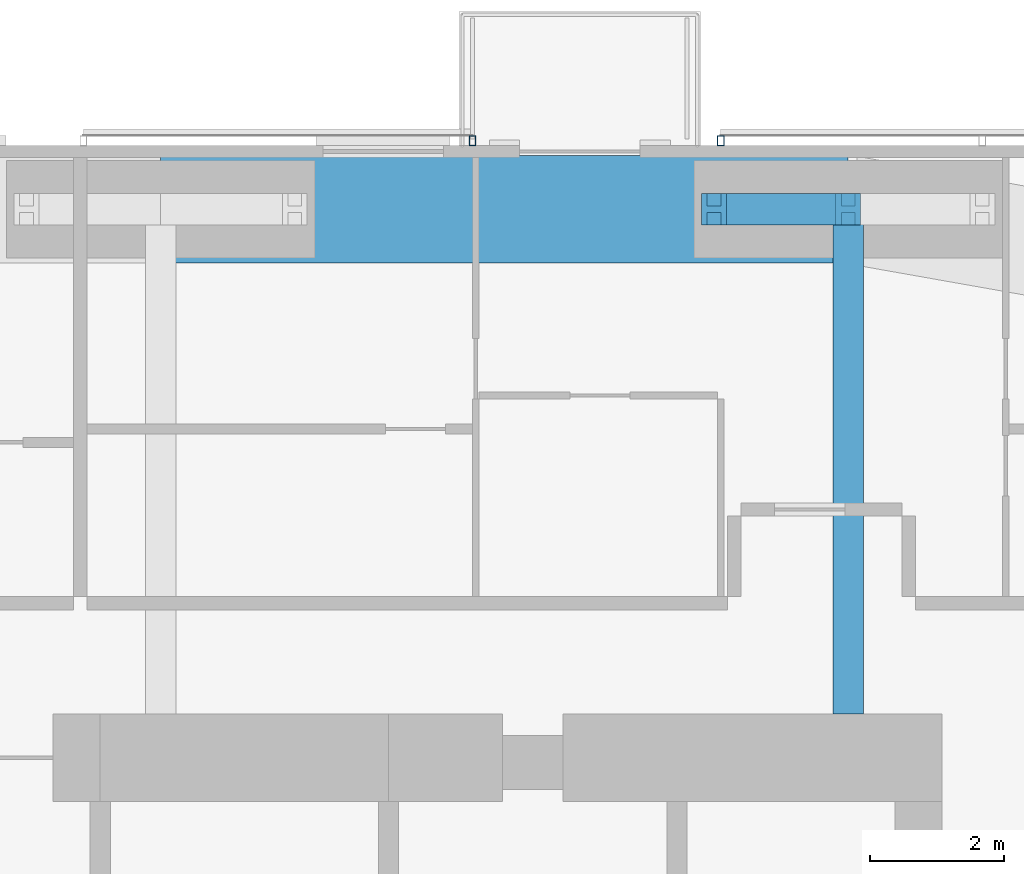
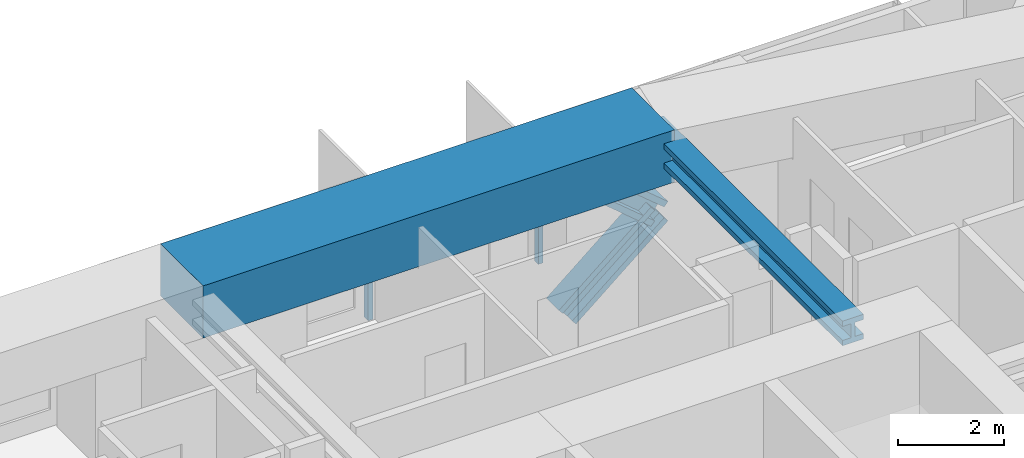
# One storey, part 12 of 23: 4 members, 2 beams, 2 elements without a shape of their own.
"""IFC4 building model written with IfcOpenShell, lengths in metres."""

from ifc_helpers import new_model, si_unit, direction, frame, origin, origin_2d, place, context, subcontext, project, spatial, rectangle, hollow_rectangle, i_section, extrude, material, material_profile, profile_set, type_object, element, aggregate, save


model = new_model("IFC4")

# Units and contexts
model_context = context("Model", 3, precision=1e-05, world=origin(), true_north=direction((0.0, 1.0)))
body_context = subcontext(model_context, "Body", "Model", "MODEL_VIEW")
ifc_project = project(units=[si_unit("LENGTHUNIT", "METRE"), si_unit("AREAUNIT", "SQUARE_METRE"), si_unit("VOLUMEUNIT", "CUBIC_METRE"), si_unit("PLANEANGLEUNIT", "RADIAN"), si_unit("MASSUNIT", "GRAM", prefix="KILO")], contexts=[model_context])

# Site, building, storey
site_placement = place(None, origin())
site = spatial("IfcSite", under=ifc_project, at=site_placement, CompositionType="ELEMENT")
building_placement = place(site_placement, origin())
building = spatial("IfcBuilding", under=site, at=building_placement, Name="Jalousie Tower", CompositionType="ELEMENT")
storey_placement = place(building_placement, frame((0.0, 0.0, 171.10009765625)))
storey = spatial("IfcBuildingStorey", under=building, at=storey_placement, Name="L46", CompositionType="ELEMENT", Elevation=171.10009765625)

# Beam
ifc_material_1 = material(Name="Steel ASTM A992 Grade 50", Category="steel")
ifc_material_profile_1 = material_profile(ifc_material_1, i_section(OverallWidth=0.45458984375, OverallDepth=0.569091796875, WebThickness=0.077880859375, FlangeThickness=0.124755859375, at=origin_2d()), Name="W14X730")
ifc_profile_set_1 = profile_set([ifc_material_profile_1], Name="Steel ASTM A992 Grade 50")
beam_type_1 = type_object("IfcBeamType", Name="LEAN COLLECTOR W14X730", PredefinedType="BEAM", material=ifc_profile_set_1)
beam_1_placement = place(storey_placement, frame((42.75, 35.050048828125, 2.825439453125), z_axis=(0.0, -1.0, 0.0), x_axis=(1.0, 0.0, 0.0)))
element("IfcBeam", 1, at=beam_1_placement, inside=storey, type_object=beam_type_1, Name="Lean collector under L47", PredefinedType="BEAM", context=body_context, shape_type="SweptSolid", body=[
    extrude(i_section(OverallWidth=0.45458984375, OverallDepth=0.569091796875, WebThickness=0.077880859375, FlangeThickness=0.124755859375, at=origin_2d()), origin(), (0.0, 0.0, 1.0), 7.525146484375),
])

# Members
ifc_material_2 = material(Name="Steel ASTM A992 Grade 50", Category="steel")
ifc_material_profile_2 = material_profile(ifc_material_2, i_section(OverallWidth=0.472412109375, OverallDepth=0.5791015625, WebThickness=0.094970703125, FlangeThickness=0.1298828125, at=origin_2d()), Name="W14X808")
ifc_profile_set_2 = profile_set([ifc_material_profile_2], Name="Steel ASTM A992 Grade 50")
member_type_1 = type_object("IfcMemberType", Name="PERIMETER BRACE W14X808", PredefinedType="BRACE", material=ifc_profile_set_2)
for number, where, z_axis, x_axis, name in (
    (2, (40.75, 35.050048828125, -0.60009765625), (0.766638753323, 0.0, 0.642078672674), (0.0, 1.0, 0.0), "Perimeter brace 09 L46 part 1"),
    (3, (42.75, 35.050048828125, 1.074951171875), (-0.766638753323, 0.0, 0.642078672674), (0.0, -1.0, 0.0), "Perimeter brace 09 L46 part 4"),
):
    element("IfcMember", number, at=place(storey_placement, frame(where, z_axis=z_axis, x_axis=x_axis)), inside=storey, type_object=member_type_1, Name=name, PredefinedType="BRACE", context=body_context, shape_type="SweptSolid", body=[
        extrude(i_section(OverallWidth=0.472412109375, OverallDepth=0.5791015625, WebThickness=0.094970703125, FlangeThickness=0.1298828125, at=origin_2d()), origin(), (0.0, 0.0, 1.0), 2.60888671875),
    ])

# Beam
ifc_material_3 = material(Name="Concrete f'c 40 MPa", Category="concrete")
ifc_material_profile_3 = material_profile(ifc_material_3, rectangle(XDim=1.60009765625, YDim=1.199951171875, at=origin_2d()), Name="RC 1600x1200")
ifc_profile_set_3 = profile_set([ifc_material_profile_3], Name="Concrete f'c 40 MPa")
beam_type_2 = type_object("IfcBeamType", Name="RC BEAM 1600x1200", PredefinedType="BEAM", material=ifc_profile_set_3)
beam_2_placement = place(storey_placement, frame((42.75, 35.050048828125, 2.75), z_axis=(-1.0, 0.0, 0.0), x_axis=(0.0, -1.0, 0.0)))
element("IfcBeam", 4, at=beam_2_placement, inside=storey, type_object=beam_type_2, Name="Edge band beam 09-10 under L47", PredefinedType="BEAM", context=body_context, shape_type="SweptSolid", body=[
    extrude(rectangle(XDim=1.60009765625, YDim=1.199951171875, at=origin_2d()), origin(), (0.0, 0.0, 1.0), 10.25),
])

# Curtain wall, member
ifc_material_4 = material(Name="Perforated aluminium sheet", Category="aluminium")
curtain_wall_type = type_object("IfcCurtainWallType", Name="SOLAR SCREEN SS-1", PredefinedType="USERDEFINED", material=ifc_material_4)
curtain_wall_1_placement = place(storey_placement, origin())
curtain_wall_1 = element("IfcCurtainWall", 5, at=curtain_wall_1_placement, inside=storey, type_object=curtain_wall_type, Name="Solar screen L46", ObjectType="SOLAR SCREEN SS-1", PredefinedType="USERDEFINED")
ifc_material_5 = material(Name="Steel ASTM A500 Grade C", Category="steel")
ifc_material_profile_4 = material_profile(ifc_material_5, hollow_rectangle(XDim=0.1015625, YDim=0.15234375, WallThickness=0.00634765625, at=origin_2d()), Name="HSS6X4X1/4")
ifc_profile_set_4 = profile_set([ifc_material_profile_4], Name="Steel ASTM A500 Grade C")
member_type_2 = type_object("IfcMemberType", Name="SOLAR SCREEN SS-1 MULLION", PredefinedType="MULLION", material=ifc_profile_set_4)
member_1_placement = place(storey_placement, frame((40.85009765625, 36.0712890625, -0.1201171875), z_axis=(0.0, 0.0, 1.0), x_axis=(-1.0, 0.0, 0.0)))
member_1 = element("IfcMember", 6, at=member_1_placement, type_object=member_type_2, Name="SS1 post 3", PredefinedType="MULLION", context=body_context, shape_type="SweptSolid", body=[
    extrude(hollow_rectangle(XDim=0.1015625, YDim=0.15234375, WallThickness=0.00634765625, at=origin_2d()), origin(), (0.0, 0.0, 1.0), 3.22998046875),
])
aggregate(curtain_wall_1, [member_1])

curtain_wall_2_placement = place(storey_placement, origin())
curtain_wall_2 = element("IfcCurtainWall", 7, at=curtain_wall_2_placement, inside=storey, type_object=curtain_wall_type, Name="Solar screen L46", ObjectType="SOLAR SCREEN SS-1", PredefinedType="USERDEFINED")
member_2_placement = place(storey_placement, frame((37.14990234375, 36.0712890625, -0.1201171875), z_axis=(0.0, 0.0, 1.0), x_axis=(-1.0, 0.0, 0.0)))
member_2 = element("IfcMember", 8, at=member_2_placement, type_object=member_type_2, Name="SS1 post 1", PredefinedType="MULLION", context=body_context, shape_type="SweptSolid", body=[
    extrude(hollow_rectangle(XDim=0.1015625, YDim=0.15234375, WallThickness=0.00634765625, at=origin_2d()), origin(), (0.0, 0.0, 1.0), 3.22998046875),
])
aggregate(curtain_wall_2, [member_2])

save(model, "model.ifc")
